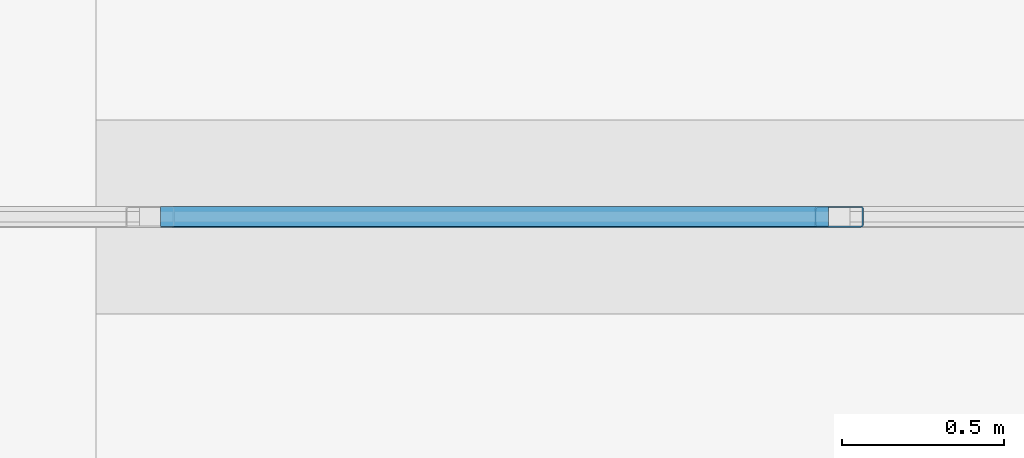
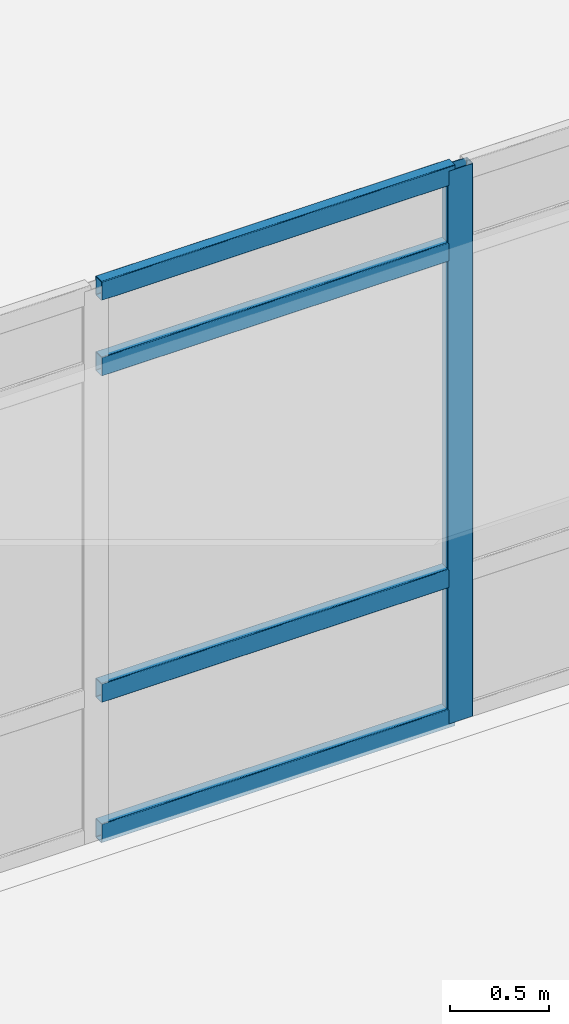
# One storey, part 87 of 196: 5 members, 1 element without a shape of its own.
"""IFC4 building model written with IfcOpenShell, lengths in metres."""

from ifc_helpers import new_model, si_unit, direction, frame, origin, origin_2d, place, context, subcontext, project, spatial, hollow_rectangle, extrude, material, layer, layer_set, material_profile, profile_set, type_object, element, aggregate, save


model = new_model("IFC4")

# Units and contexts
model_context = context("Model", 3, precision=1e-05, world=origin(), true_north=direction((0.0, 1.0)))
body_context = subcontext(model_context, "Body", "Model", "MODEL_VIEW")
ifc_project = project(units=[si_unit("LENGTHUNIT", "METRE"), si_unit("AREAUNIT", "SQUARE_METRE"), si_unit("VOLUMEUNIT", "CUBIC_METRE"), si_unit("PLANEANGLEUNIT", "RADIAN"), si_unit("MASSUNIT", "GRAM", prefix="KILO")], contexts=[model_context])

# Site, building, storey
site_placement = place(None, origin())
site = spatial("IfcSite", under=ifc_project, at=site_placement, CompositionType="ELEMENT")
building_placement = place(site_placement, origin())
building = spatial("IfcBuilding", under=site, at=building_placement, Name="Asteropetra Specialist Clinic", CompositionType="ELEMENT")
storey_placement = place(building_placement, origin())
storey = spatial("IfcBuildingStorey", under=building, at=storey_placement, Name="L00", CompositionType="ELEMENT", Elevation=0.0)

# Curtain wall, members
ifc_material_1 = material(Name="Aluminium and low-E glass", Category="aluminium")
ifc_layer = layer(ifc_material_1, 0.14990234375)
ifc_layer_set = layer_set([ifc_layer], Name="Aluminium and low-E glass")
curtain_wall_type = type_object("IfcCurtainWallType", Name="CW-SYS-02", PredefinedType="USERDEFINED", material=ifc_layer_set)
curtain_wall_placement = place(storey_placement, origin())
curtain_wall = element("IfcCurtainWall", 1, at=curtain_wall_placement, inside=storey, type_object=curtain_wall_type, Name="Curtain Wall CW-001", ObjectType="UNITISED CURTAIN WALL", PredefinedType="USERDEFINED")
ifc_material_2 = material(Name="Aluminium 6063-T6", Category="aluminium")
ifc_material_profile_1 = material_profile(ifc_material_2, hollow_rectangle(XDim=0.06494140625, YDim=0.14990234375, WallThickness=0.00390625, InnerFilletRadius=0.00390625, OuterFilletRadius=0.008056640625, at=origin_2d()), Name="MUL 150x65x4.0")
ifc_profile_set_1 = profile_set([ifc_material_profile_1], Name="Aluminium 6063-T6")
member_type_1 = type_object("IfcMemberType", Name="CWM-150x65", PredefinedType="MULLION", material=ifc_profile_set_1)
member_1_placement = place(storey_placement, frame((14.39990234375, 76.800048828125, 0.0), z_axis=(0.0, 0.0, 1.0), x_axis=(0.0, 1.0, 0.0)))
member_1 = element("IfcMember", 2, at=member_1_placement, type_object=member_type_1, Name="CW-001 mullion 3", PredefinedType="MULLION", context=body_context, shape_type="SweptSolid", body=[
    extrude(hollow_rectangle(XDim=0.06494140625, YDim=0.14990234375, WallThickness=0.00390625, InnerFilletRadius=0.00390625, OuterFilletRadius=0.008056640625, at=origin_2d()), origin(), (0.0, 0.0, 1.0), 3.419921875),
])
ifc_material_3 = material(Name="Aluminium 6063-T6", Category="aluminium")
ifc_material_profile_2 = material_profile(ifc_material_3, hollow_rectangle(XDim=0.06494140625, YDim=0.1201171875, WallThickness=0.00390625, InnerFilletRadius=0.00390625, OuterFilletRadius=0.008056640625, at=origin_2d()), Name="TRN 120x65x4.0")
ifc_profile_set_2 = profile_set([ifc_material_profile_2], Name="Aluminium 6063-T6")
member_type_2 = type_object("IfcMemberType", Name="CWT-120x65", PredefinedType="USERDEFINED", material=ifc_profile_set_2)
member_2_placement = place(storey_placement, frame((12.300048828125, 76.800048828125, 0.032470703125), z_axis=(1.0, 0.0, 0.0), x_axis=(0.0, 1.0, 0.0)))
member_2 = element("IfcMember", 3, at=member_2_placement, type_object=member_type_2, Name="CW-001 transom 2.1", ObjectType="TRANSOM", PredefinedType="USERDEFINED", context=body_context, shape_type="SweptSolid", body=[
    extrude(hollow_rectangle(XDim=0.06494140625, YDim=0.1201171875, WallThickness=0.00390625, InnerFilletRadius=0.00390625, OuterFilletRadius=0.008056640625, at=origin_2d()), origin(), (0.0, 0.0, 1.0), 2.0673828125),
])
member_3_placement = place(storey_placement, frame((12.300048828125, 76.800048828125, 0.89990234375), z_axis=(1.0, 0.0, 0.0), x_axis=(0.0, 1.0, 0.0)))
member_3 = element("IfcMember", 4, at=member_3_placement, type_object=member_type_2, Name="CW-001 transom 2.2", ObjectType="TRANSOM", PredefinedType="USERDEFINED", context=body_context, shape_type="SweptSolid", body=[
    extrude(hollow_rectangle(XDim=0.06494140625, YDim=0.1201171875, WallThickness=0.00390625, InnerFilletRadius=0.00390625, OuterFilletRadius=0.008056640625, at=origin_2d()), origin(), (0.0, 0.0, 1.0), 2.0673828125),
])
member_4_placement = place(storey_placement, frame((12.300048828125, 76.800048828125, 2.919921875), z_axis=(1.0, 0.0, 0.0), x_axis=(0.0, 1.0, 0.0)))
member_4 = element("IfcMember", 5, at=member_4_placement, type_object=member_type_2, Name="CW-001 transom 2.3", ObjectType="TRANSOM", PredefinedType="USERDEFINED", context=body_context, shape_type="SweptSolid", body=[
    extrude(hollow_rectangle(XDim=0.06494140625, YDim=0.1201171875, WallThickness=0.00390625, InnerFilletRadius=0.00390625, OuterFilletRadius=0.008056640625, at=origin_2d()), origin(), (0.0, 0.0, 1.0), 2.0673828125),
])
member_5_placement = place(storey_placement, frame((12.300048828125, 76.800048828125, 3.387451171875), z_axis=(1.0, 0.0, 0.0), x_axis=(0.0, 1.0, 0.0)))
member_5 = element("IfcMember", 6, at=member_5_placement, type_object=member_type_2, Name="CW-001 transom 2.4", ObjectType="TRANSOM", PredefinedType="USERDEFINED", context=body_context, shape_type="SweptSolid", body=[
    extrude(hollow_rectangle(XDim=0.06494140625, YDim=0.1201171875, WallThickness=0.00390625, InnerFilletRadius=0.00390625, OuterFilletRadius=0.008056640625, at=origin_2d()), origin(), (0.0, 0.0, 1.0), 2.0673828125),
])
aggregate(curtain_wall, [member_1, member_2, member_3, member_4, member_5])

save(model, "model.ifc")
